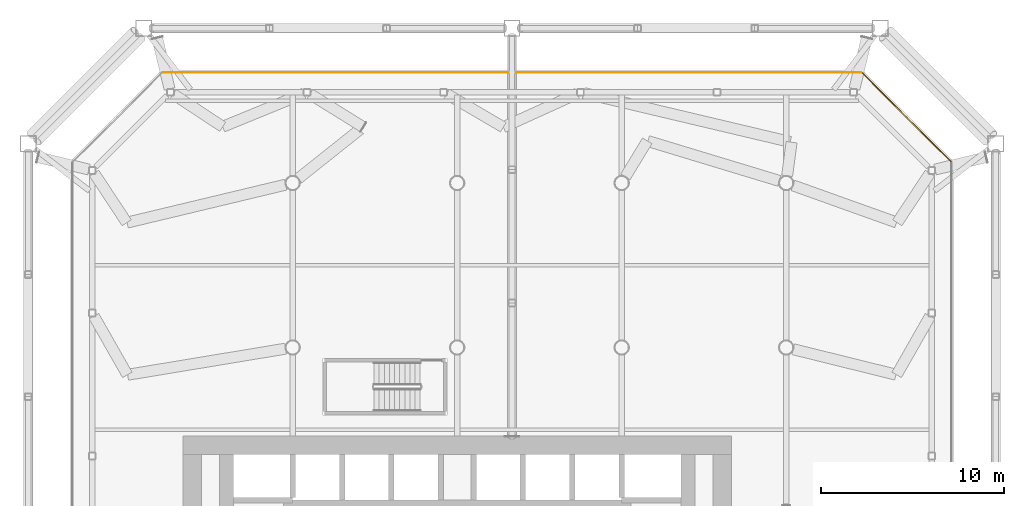
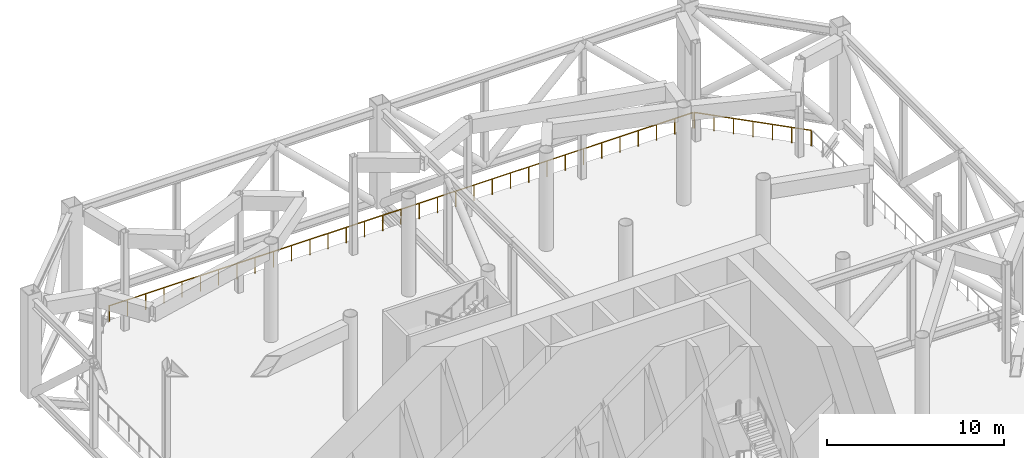
# One storey, part 20 of 20: 2 railings.
"""IFC4 building model written with IfcOpenShell, lengths in metres."""

from ifc_helpers import new_model, si_unit, direction, frame, origin, origin_2d, place, context, subcontext, project, spatial, circle, extrude, material, type_object, element, save


model = new_model("IFC4")

# Units and contexts
model_context = context("Model", 3, precision=1e-05, world=origin(), true_north=direction((0.0, 1.0)))
body_context = subcontext(model_context, "Body", "Model", "MODEL_VIEW")
ifc_project = project(units=[si_unit("LENGTHUNIT", "METRE"), si_unit("AREAUNIT", "SQUARE_METRE"), si_unit("VOLUMEUNIT", "CUBIC_METRE"), si_unit("PLANEANGLEUNIT", "RADIAN"), si_unit("MASSUNIT", "GRAM", prefix="KILO")], contexts=[model_context])

# Site, building, storey
site_placement = place(None, origin())
site = spatial("IfcSite", under=ifc_project, at=site_placement, CompositionType="ELEMENT")
building_placement = place(site_placement, origin())
building = spatial("IfcBuilding", under=site, at=building_placement, Name="Tskaro Facet Tower", CompositionType="ELEMENT")
storey_placement = place(building_placement, frame((0.0, 0.0, 114.300048828125)))
storey = spatial("IfcBuildingStorey", under=building, at=storey_placement, Name="L27", CompositionType="ELEMENT", Elevation=114.300048828125)

# Railings
ifc_material = material(Name="Bronze anodised aluminium 6063-T6", Category="aluminium")
railing_type = type_object("IfcRailingType", Name="Bronze guard rail (GD1)", PredefinedType="GUARDRAIL", material=ifc_material)
railing_1_placement = place(storey_placement, frame((27.01318359375, 19.168701171875, 0.0)))
element("IfcRailing", 1, at=railing_1_placement, inside=storey, type_object=railing_type, Name="Guard L27", PredefinedType="GUARDRAIL", context=body_context, shape_type="SweptSolid", body=[
    extrude(circle(Radius=0.02490234375, at=origin_2d()), frame((0.0, 0.0, 1.0751953125), z_axis=(-0.707106781187, 0.707106781187, 0.0), x_axis=(-0.707106781187, -0.707106781187, 0.0)), (0.0, 0.0, 1.0), 6.85107421875),
    extrude(circle(Radius=0.02001953125, at=origin_2d()), origin(), (0.0, 0.0, 1.0), 1.050048828125),
    extrude(circle(Radius=0.02001953125, at=origin_2d()), frame((-0.807373046875, 0.807373046875, 0.0)), (0.0, 0.0, 1.0), 1.050048828125),
    extrude(circle(Radius=0.02001953125, at=origin_2d()), frame((-1.61474609375, 1.61474609375, 0.0)), (0.0, 0.0, 1.0), 1.050048828125),
    extrude(circle(Radius=0.02001953125, at=origin_2d()), frame((-2.42236328125, 2.42236328125, 0.0)), (0.0, 0.0, 1.0), 1.050048828125),
    extrude(circle(Radius=0.02001953125, at=origin_2d()), frame((-3.229736328125, 3.229736328125, 0.0)), (0.0, 0.0, 1.0), 1.050048828125),
    extrude(circle(Radius=0.02001953125, at=origin_2d()), frame((-4.037109375, 4.037109375, 0.0)), (0.0, 0.0, 1.0), 1.050048828125),
    extrude(circle(Radius=0.02001953125, at=origin_2d()), frame((-4.844482421875, 4.844482421875, 0.0)), (0.0, 0.0, 1.0), 1.050048828125),
])
railing_2_placement = place(storey_placement, frame((22.092041015625, 24.044921875, 0.0)))
element("IfcRailing", 2, at=railing_2_placement, inside=storey, type_object=railing_type, Name="Guard L27", PredefinedType="GUARDRAIL", context=body_context, shape_type="SweptSolid", body=[
    extrude(circle(Radius=0.02490234375, at=origin_2d()), frame((0.0, 0.0, 1.0751953125), z_axis=(-1.0, 0.0, 0.0), x_axis=(0.0, -1.0, 0.0)), (0.0, 0.0, 1.0), 38.18408203125),
    extrude(circle(Radius=0.02001953125, at=origin_2d()), origin(), (0.0, 0.0, 1.0), 1.050048828125),
    extrude(circle(Radius=0.02001953125, at=origin_2d()), frame((-1.193359375, 0.0, 0.0)), (0.0, 0.0, 1.0), 1.050048828125),
    extrude(circle(Radius=0.02001953125, at=origin_2d()), frame((-2.386474609375, 0.0, 0.0)), (0.0, 0.0, 1.0), 1.050048828125),
    extrude(circle(Radius=0.02001953125, at=origin_2d()), frame((-3.579833984375, 0.0, 0.0)), (0.0, 0.0, 1.0), 1.050048828125),
    extrude(circle(Radius=0.02001953125, at=origin_2d()), frame((-4.77294921875, 0.0, 0.0)), (0.0, 0.0, 1.0), 1.050048828125),
    extrude(circle(Radius=0.02001953125, at=origin_2d()), frame((-5.96630859375, 0.0, 0.0)), (0.0, 0.0, 1.0), 1.050048828125),
    extrude(circle(Radius=0.02001953125, at=origin_2d()), frame((-7.159423828125, 0.0, 0.0)), (0.0, 0.0, 1.0), 1.050048828125),
    extrude(circle(Radius=0.02001953125, at=origin_2d()), frame((-8.352783203125, 0.0, 0.0)), (0.0, 0.0, 1.0), 1.050048828125),
    extrude(circle(Radius=0.02001953125, at=origin_2d()), frame((-9.5458984375, 0.0, 0.0)), (0.0, 0.0, 1.0), 1.050048828125),
    extrude(circle(Radius=0.02001953125, at=origin_2d()), frame((-10.7392578125, 0.0, 0.0)), (0.0, 0.0, 1.0), 1.050048828125),
    extrude(circle(Radius=0.02001953125, at=origin_2d()), frame((-11.9326171875, 0.0, 0.0)), (0.0, 0.0, 1.0), 1.050048828125),
    extrude(circle(Radius=0.02001953125, at=origin_2d()), frame((-13.125732421875, 0.0, 0.0)), (0.0, 0.0, 1.0), 1.050048828125),
    extrude(circle(Radius=0.02001953125, at=origin_2d()), frame((-14.319091796875, 0.0, 0.0)), (0.0, 0.0, 1.0), 1.050048828125),
    extrude(circle(Radius=0.02001953125, at=origin_2d()), frame((-15.51220703125, 0.0, 0.0)), (0.0, 0.0, 1.0), 1.050048828125),
    extrude(circle(Radius=0.02001953125, at=origin_2d()), frame((-16.70556640625, 0.0, 0.0)), (0.0, 0.0, 1.0), 1.050048828125),
    extrude(circle(Radius=0.02001953125, at=origin_2d()), frame((-17.898681640625, 0.0, 0.0)), (0.0, 0.0, 1.0), 1.050048828125),
    extrude(circle(Radius=0.02001953125, at=origin_2d()), frame((-19.092041015625, 0.0, 0.0)), (0.0, 0.0, 1.0), 1.050048828125),
    extrude(circle(Radius=0.02001953125, at=origin_2d()), frame((-20.285400390625, 0.0, 0.0)), (0.0, 0.0, 1.0), 1.050048828125),
    extrude(circle(Radius=0.02001953125, at=origin_2d()), frame((-21.478515625, 0.0, 0.0)), (0.0, 0.0, 1.0), 1.050048828125),
    extrude(circle(Radius=0.02001953125, at=origin_2d()), frame((-22.671875, 0.0, 0.0)), (0.0, 0.0, 1.0), 1.050048828125),
    extrude(circle(Radius=0.02001953125, at=origin_2d()), frame((-23.864990234375, 0.0, 0.0)), (0.0, 0.0, 1.0), 1.050048828125),
    extrude(circle(Radius=0.02001953125, at=origin_2d()), frame((-25.058349609375, 0.0, 0.0)), (0.0, 0.0, 1.0), 1.050048828125),
    extrude(circle(Radius=0.02001953125, at=origin_2d()), frame((-26.25146484375, 0.0, 0.0)), (0.0, 0.0, 1.0), 1.050048828125),
    extrude(circle(Radius=0.02001953125, at=origin_2d()), frame((-27.44482421875, 0.0, 0.0)), (0.0, 0.0, 1.0), 1.050048828125),
    extrude(circle(Radius=0.02001953125, at=origin_2d()), frame((-28.63818359375, 0.0, 0.0)), (0.0, 0.0, 1.0), 1.050048828125),
    extrude(circle(Radius=0.02001953125, at=origin_2d()), frame((-29.831298828125, 0.0, 0.0)), (0.0, 0.0, 1.0), 1.050048828125),
    extrude(circle(Radius=0.02001953125, at=origin_2d()), frame((-31.024658203125, 0.0, 0.0)), (0.0, 0.0, 1.0), 1.050048828125),
    extrude(circle(Radius=0.02001953125, at=origin_2d()), frame((-32.2177734375, 0.0, 0.0)), (0.0, 0.0, 1.0), 1.050048828125),
    extrude(circle(Radius=0.02001953125, at=origin_2d()), frame((-33.4111328125, 0.0, 0.0)), (0.0, 0.0, 1.0), 1.050048828125),
    extrude(circle(Radius=0.02001953125, at=origin_2d()), frame((-34.604248046875, 0.0, 0.0)), (0.0, 0.0, 1.0), 1.050048828125),
    extrude(circle(Radius=0.02001953125, at=origin_2d()), frame((-35.797607421875, 0.0, 0.0)), (0.0, 0.0, 1.0), 1.050048828125),
    extrude(circle(Radius=0.02001953125, at=origin_2d()), frame((-36.99072265625, 0.0, 0.0)), (0.0, 0.0, 1.0), 1.050048828125),
    extrude(circle(Radius=0.02001953125, at=origin_2d()), frame((-38.18408203125, 0.0, 0.0)), (0.0, 0.0, 1.0), 1.050048828125),
])

save(model, "model.ifc")
